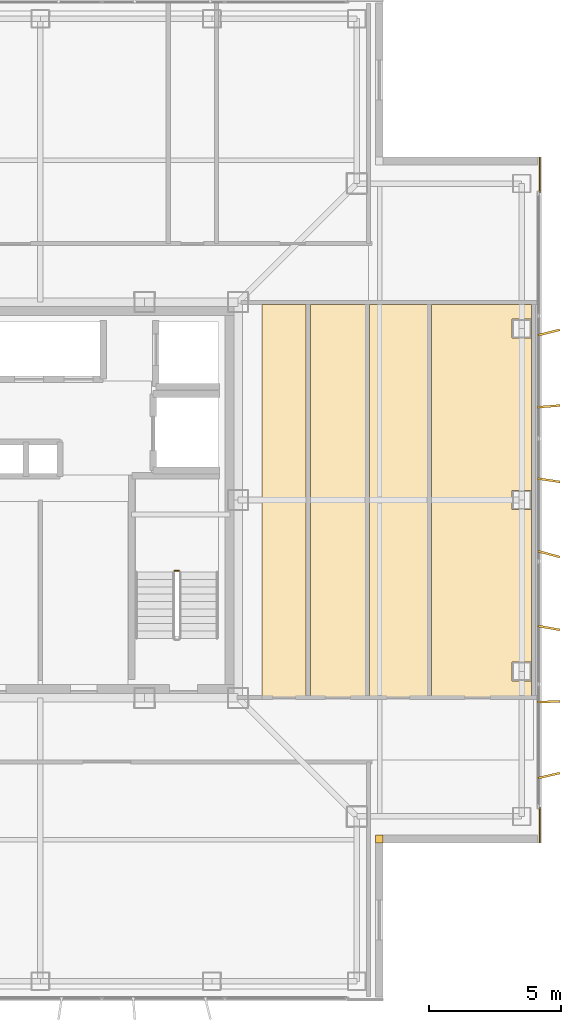
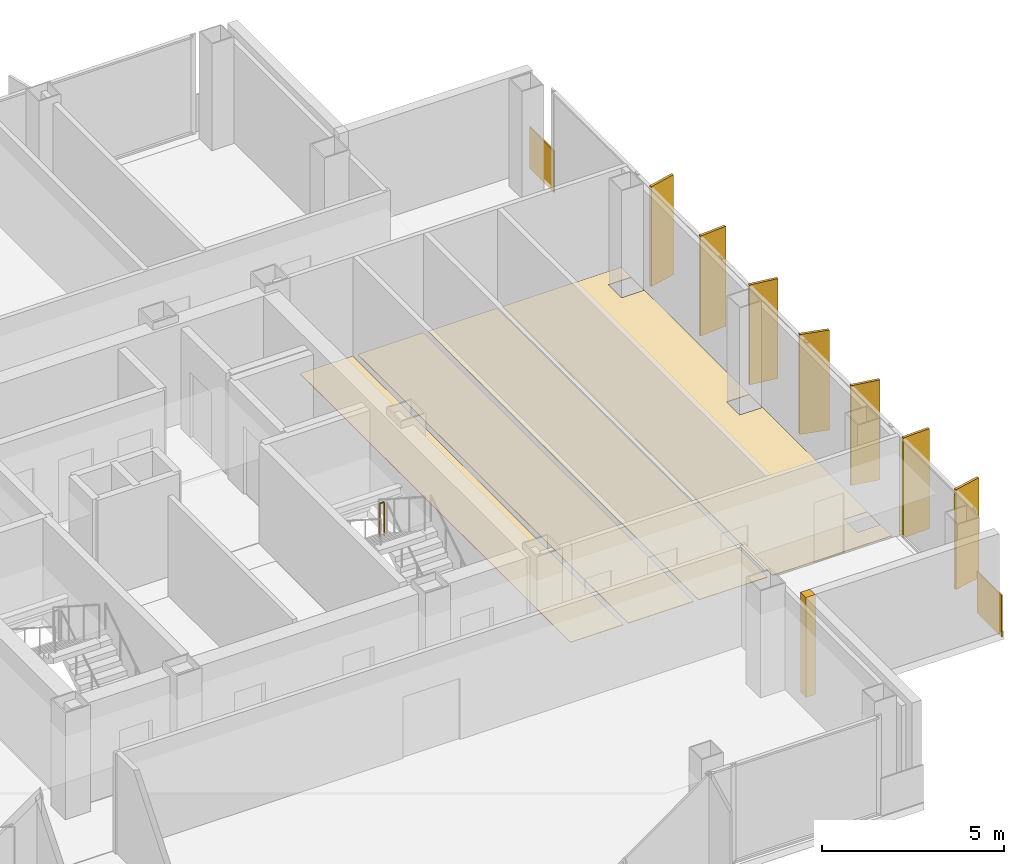
# One storey, part 14 of 15: 7 coverings, 7 shading devices, 1 railing.
"""IFC4 building model written with IfcOpenShell, lengths in metres."""

from ifc_helpers import new_model, si_unit, direction, frame, frame_2d, origin, origin_2d, place, context, subcontext, project, spatial, polyline, rectangle, circle, outline, extrude, material, layer, layer_set, type_object, element, save


model = new_model("IFC4")

# Units and contexts
model_context = context("Model", 3, precision=1e-05, world=origin(), true_north=direction((0.0, 1.0)))
body_context = subcontext(model_context, "Body", "Model", "MODEL_VIEW")
ifc_project = project(units=[si_unit("LENGTHUNIT", "METRE"), si_unit("AREAUNIT", "SQUARE_METRE"), si_unit("VOLUMEUNIT", "CUBIC_METRE"), si_unit("PLANEANGLEUNIT", "RADIAN"), si_unit("MASSUNIT", "GRAM", prefix="KILO")], contexts=[model_context])

# Site, building, storey
site_placement = place(None, origin())
site = spatial("IfcSite", under=ifc_project, at=site_placement, CompositionType="ELEMENT")
building_placement = place(site_placement, origin())
building = spatial("IfcBuilding", under=site, at=building_placement, Name="Trevonay Congress Spire", CompositionType="ELEMENT")
storey_placement = place(building_placement, frame((0.0, 0.0, 261.199951171875)))
storey = spatial("IfcBuildingStorey", under=building, at=storey_placement, Name="L68", CompositionType="ELEMENT", Elevation=261.199951171875)

# Coverings
ifc_material_1 = material(Name="Polished Granite Floor Tile", Category="masonry")
ifc_layer_1 = layer(ifc_material_1, 0.02001953125, Name="Polished Granite Floor Tile")
ifc_layer_set_1 = layer_set([ifc_layer_1], Name="Polished Granite Floor Tile")
covering_type_1 = type_object("IfcCoveringType", Name="COV-FLOOR-STONE", PredefinedType="FLOORING", material=ifc_layer_set_1)
covering_1_placement = place(storey_placement, origin())
element("IfcCovering", 1, at=covering_1_placement, inside=storey, type_object=covering_type_1, Name="L68 Female Restroom WC floor finish", PredefinedType="FLOORING", context=body_context, shape_type="SweptSolid", body=[
    extrude(outline(polyline([(8.39990234375, -7.47998046875), (10.080078125, -7.47998046875), (10.080078125, 7.419921875), (8.39990234375, 7.419921875), (8.39990234375, -7.47998046875)])), origin(), (0.0, 0.0, 1.0), 0.02001953125),
])
covering_2_placement = place(storey_placement, origin())
element("IfcCovering", 2, at=covering_2_placement, inside=storey, type_object=covering_type_1, Name="L68 Floor Supplies and Copy Room floor finish", PredefinedType="FLOORING", context=body_context, shape_type="SweptSolid", body=[
    extrude(outline(polyline([(10.239990234375, -7.47998046875), (12.320068359375, -7.47998046875), (12.320068359375, 7.419921875), (10.239990234375, 7.419921875), (10.239990234375, -7.47998046875)])), origin(), (0.0, 0.0, 1.0), 0.02001953125),
])
covering_3_placement = place(storey_placement, origin())
element("IfcCovering", 3, at=covering_3_placement, inside=storey, type_object=covering_type_1, Name="L68 Male Restroom WC floor finish", PredefinedType="FLOORING", context=body_context, shape_type="SweptSolid", body=[
    extrude(outline(polyline([(12.47998046875, -7.47998046875), (14.669921875, -7.47998046875), (14.669921875, 7.419921875), (12.47998046875, 7.419921875), (12.47998046875, -7.47998046875)])), origin(), (0.0, 0.0, 1.0), 0.02001953125),
])
covering_4_placement = place(storey_placement, origin())
element("IfcCovering", 4, at=covering_4_placement, inside=storey, type_object=covering_type_1, Name="L68 Floor Supplies and Copy Room floor finish", PredefinedType="FLOORING", context=body_context, shape_type="SweptSolid", body=[
    extrude(outline(polyline([(14.830078125, 7.419921875), (18.6201171875, 7.419921875), (18.6201171875, -7.47998046875), (14.830078125, -7.47998046875), (14.830078125, 7.419921875)]), holes=[polyline([(17.889892578125, -6.860107421875), (18.610107421875, -6.860107421875), (18.610107421875, -6.139892578125), (17.889892578125, -6.139892578125), (17.889892578125, -6.860107421875)]), polyline([(17.889892578125, 0.360107421875), (17.889892578125, -0.360107421875), (18.610107421875, -0.360107421875), (18.610107421875, 0.360107421875), (17.889892578125, 0.360107421875)]), polyline([(17.889892578125, 6.860107421875), (17.889892578125, 6.139892578125), (18.610107421875, 6.139892578125), (18.610107421875, 6.860107421875), (17.889892578125, 6.860107421875)])]), origin(), (0.0, 0.0, 1.0), 0.02001953125),
])
ifc_material_2 = material(Name="Pale Anodised Aluminium EN AW-6063-T6", Category="aluminium")
ifc_layer_2 = layer(ifc_material_2, 0.0400390625, Name="Pale Anodised Aluminium EN AW-6063-T6")
ifc_layer_set_2 = layer_set([ifc_layer_2], Name="Pale Anodised Aluminium EN AW-6063-T6")
covering_type_2 = type_object("IfcCoveringType", Name="COV-SPANDREL-PALE-METAL", PredefinedType="CLADDING", material=ifc_layer_set_2)
covering_5_placement = place(storey_placement, origin())
element("IfcCovering", 5, at=covering_5_placement, inside=storey, type_object=covering_type_2, Name="L68 SE re-entrant notch corner closure trim", PredefinedType="CLADDING", context=body_context, shape_type="SweptSolid", body=[
    extrude(outline(polyline([(12.699951171875, -13.0), (13.0, -13.0), (13.0, -12.699951171875), (12.699951171875, -12.699951171875), (12.699951171875, -13.0)])), origin(), (0.0, 0.0, 1.0), 3.360107421875),
])
for number, where, z_axis, x_axis, name in (
    (6, (18.93994140625, -11.64990234375, -0.14990234375), (0.0, 0.0, 1.0), (0.0, -1.0, 0.0), "L68 SE corner pier spandrel cladding 1"),
    (7, (18.93994140625, 11.64990234375, -0.14990234375), (0.0, 0.0, 1.0), (0.0, 1.0, 0.0), "L68 NE corner pier spandrel cladding 1"),
):
    element("IfcCovering", number, at=place(storey_placement, frame(where, z_axis=z_axis, x_axis=x_axis)), inside=storey, type_object=covering_type_2, Name=name, PredefinedType="CLADDING", context=body_context, shape_type="SweptSolid", body=[
        extrude(rectangle(XDim=1.35009765625, YDim=0.0400390625, at=frame_2d((0.675048828125, 0.0))), origin(), (0.0, 0.0, 1.0), 1.39990234375),
    ])

# Railing
railing_type = type_object("IfcRailingType", Name="RAL-STAIR-GUARD-110", PredefinedType="GUARDRAIL", material=ifc_material_2)
railing_placement = place(storey_placement, frame((5.25, -2.679931640625, 1.800048828125)))
element("IfcRailing", 8, at=railing_placement, inside=storey, type_object=railing_type, Name="L68 ST-2 stair guard 2", PredefinedType="GUARDRAIL", context=body_context, shape_type="SweptSolid", body=[
    extrude(circle(Radius=0.02392578125, at=origin_2d()), frame((0.0, 0.0, 1.1259765625), z_axis=(-1.0, 0.0, 0.0), x_axis=(0.0, -1.0, 0.0)), (0.0, 0.0, 1.0), 0.14990234375),
    extrude(circle(Radius=0.02099609375, at=origin_2d()), origin(), (0.0, 0.0, 1.0), 1.101806640625),
    extrude(circle(Radius=0.02099609375, at=origin_2d()), frame((-0.14990234375, 0.0, 0.0)), (0.0, 0.0, 1.0), 1.101806640625),
])

# Shading devices
shading_device_type = type_object("IfcShadingDeviceType", Name="SHD-FIN-Z4-PALE-METAL", PredefinedType="USERDEFINED", material=ifc_material_2)
for number, where, z_axis, x_axis, name in (
    (9, (19.280029296875, -10.449951171875, 0.0), (0.0, 0.0, 1.0), (-0.224780991261, 0.97440931131, 0.0), "L68 E vertical pale-metal solar fin 1"),
    (10, (19.280029296875, -7.64990234375, 0.0), (0.0, 0.0, 1.0), (-0.039085416795, 0.999235873152, 0.0), "L68 E vertical pale-metal solar fin 2"),
    (11, (19.280029296875, -4.85009765625, 0.0), (0.0, 0.0, 1.0), (0.17708474032, 0.984195607969, 0.0), "L68 E vertical pale-metal solar fin 3"),
    (12, (19.280029296875, -2.050048828125, 0.0), (0.0, 0.0, 1.0), (0.258144638645, 0.966106280664, 0.0), "L68 E vertical pale-metal solar fin 4"),
    (13, (19.280029296875, 0.75, 0.0), (0.0, 0.0, 1.0), (0.146946275799, 0.989144474801, 0.0), "L68 E vertical pale-metal solar fin 5"),
    (14, (19.280029296875, 3.550048828125, 0.0), (0.0, 0.0, 1.0), (-0.077067060513, 0.997025911491, 0.0), "L68 E vertical pale-metal solar fin 6"),
    (15, (19.280029296875, 6.35009765625, 0.0), (0.0, 0.0, 1.0), (-0.241244442494, 0.970464383152, 0.0), "L68 E vertical pale-metal solar fin 7"),
):
    element("IfcShadingDevice", number, at=place(storey_placement, frame(where, z_axis=z_axis, x_axis=x_axis)), inside=storey, type_object=shading_device_type, Name=name, ObjectType="SOLAR FIN", PredefinedType="USERDEFINED", context=body_context, shape_type="SweptSolid", body=[
        extrude(rectangle(XDim=0.080078125, YDim=0.85009765625, at=origin_2d()), origin(), (0.0, 0.0, 1.0), 3.360107421875),
    ])

save(model, "model.ifc")
